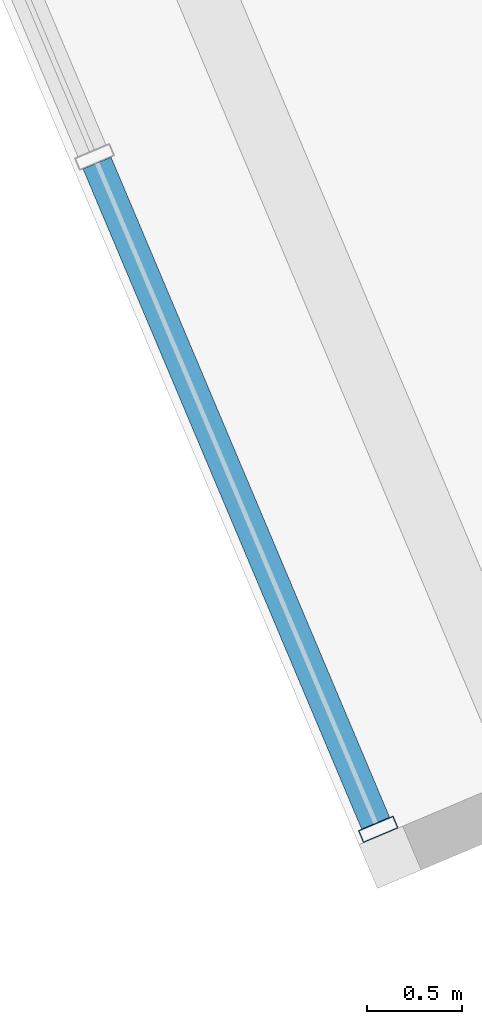
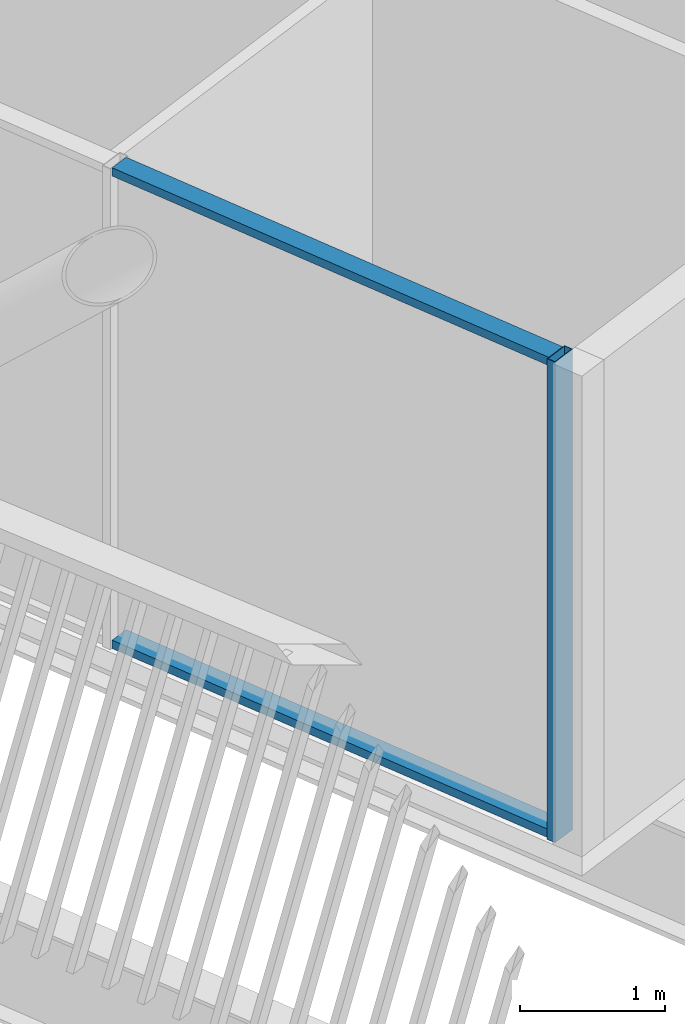
# One storey, part 2 of 35: 3 members, 1 element without a shape of its own.
"""IFC4 building model written with IfcOpenShell, lengths in metres."""

from ifc_helpers import new_model, si_unit, direction, frame, origin, origin_2d, place, context, subcontext, project, spatial, hollow_rectangle, extrude, material, layer, layer_set, material_profile, profile_set, type_object, element, aggregate, save


model = new_model("IFC4")

# Units and contexts
model_context = context("Model", 3, precision=1e-05, world=origin(), true_north=direction((0.0, 1.0)))
body_context = subcontext(model_context, "Body", "Model", "MODEL_VIEW")
ifc_project = project(units=[si_unit("LENGTHUNIT", "METRE"), si_unit("AREAUNIT", "SQUARE_METRE"), si_unit("VOLUMEUNIT", "CUBIC_METRE"), si_unit("PLANEANGLEUNIT", "RADIAN"), si_unit("MASSUNIT", "GRAM", prefix="KILO")], contexts=[model_context])

# Site, building, storey
site_placement = place(None, origin())
site = spatial("IfcSite", under=ifc_project, at=site_placement, CompositionType="ELEMENT")
building_placement = place(site_placement, origin())
building = spatial("IfcBuilding", under=site, at=building_placement, Name="Tarsis Ring Headquarters", CompositionType="ELEMENT")
storey_placement = place(building_placement, frame((0.0, 0.0, 377.60009765625)))
storey = spatial("IfcBuildingStorey", under=building, at=storey_placement, Name="L89", CompositionType="ELEMENT", Elevation=377.60009765625)

# Curtain wall, members
ifc_material_1 = material(Name="Aluminium curtain wall", Category="aluminium")
ifc_layer = layer(ifc_material_1, 0.199951171875)
ifc_layer_set = layer_set([ifc_layer], Name="Curtain wall executive tip")
curtain_wall_type = type_object("IfcCurtainWallType", Name="Curtain wall executive tip", PredefinedType="NOTDEFINED", material=ifc_layer_set)
curtain_wall_placement = place(storey_placement, origin())
curtain_wall = element("IfcCurtainWall", 1, at=curtain_wall_placement, inside=storey, type_object=curtain_wall_type, Name="Curtain wall L89-36", PredefinedType="NOTDEFINED")
ifc_material_2 = material(Name="Aluminium mullion", Category="aluminium")
ifc_material_profile_1 = material_profile(ifc_material_2, hollow_rectangle(XDim=0.199951171875, YDim=0.070068359375, WallThickness=0.0048828125, at=origin_2d()), Name="RHS 200x70x5")
ifc_profile_set_1 = profile_set([ifc_material_profile_1], Name="Aluminium mullion")
member_type_1 = type_object("IfcMemberType", Name="Curtain wall mullion executive tip RHS 200x70x5", PredefinedType="MULLION", material=ifc_profile_set_1)
member_1_placement = place(storey_placement, frame((-33.738037109375, -22.611572265625, 0.0), z_axis=(0.0, 0.0, 1.0), x_axis=(0.921321171215, 0.388802391289, 0.0)))
member_1 = element("IfcMember", 2, at=member_1_placement, type_object=member_type_1, Name="CW-E mullion 5", PredefinedType="MULLION", context=body_context, shape_type="SweptSolid", body=[
    extrude(hollow_rectangle(XDim=0.199951171875, YDim=0.070068359375, WallThickness=0.0048828125, at=origin_2d()), origin(), (0.0, 0.0, 1.0), 4.039794921875),
])
ifc_material_3 = material(Name="Aluminium transom", Category="aluminium")
ifc_material_profile_2 = material_profile(ifc_material_3, hollow_rectangle(XDim=0.159912109375, YDim=0.070068359375, WallThickness=0.0048828125, at=origin_2d()), Name="RHS 160x70x5")
ifc_profile_set_2 = profile_set([ifc_material_profile_2], Name="Aluminium transom")
member_type_2 = type_object("IfcMemberType", Name="Curtain wall transom executive tip RHS 160x70x5", PredefinedType="USERDEFINED", material=ifc_profile_set_2)
member_2_placement = place(storey_placement, frame((-35.217529296875, -19.10595703125, 0.034912109375), z_axis=(0.388809592108, -0.921318132398, 0.0), x_axis=(0.921318132398, 0.388809592108, 0.0)))
member_2 = element("IfcMember", 3, at=member_2_placement, type_object=member_type_2, Name="CW-E transom 4.1", ObjectType="TRANSOM", PredefinedType="USERDEFINED", context=body_context, shape_type="SweptSolid", body=[
    extrude(hollow_rectangle(XDim=0.159912109375, YDim=0.070068359375, WallThickness=0.0048828125, at=origin_2d()), origin(), (0.0, 0.0, 1.0), 3.77001953125),
])
member_3_placement = place(storey_placement, frame((-35.217529296875, -19.10595703125, 4.0048828125), z_axis=(0.388809592108, -0.921318132398, 0.0), x_axis=(0.921318132398, 0.388809592108, 0.0)))
member_3 = element("IfcMember", 4, at=member_3_placement, type_object=member_type_2, Name="CW-E transom 4.2", ObjectType="TRANSOM", PredefinedType="USERDEFINED", context=body_context, shape_type="SweptSolid", body=[
    extrude(hollow_rectangle(XDim=0.159912109375, YDim=0.070068359375, WallThickness=0.0048828125, at=origin_2d()), origin(), (0.0, 0.0, 1.0), 3.77001953125),
])
aggregate(curtain_wall, [member_1, member_2, member_3])

save(model, "model.ifc")
